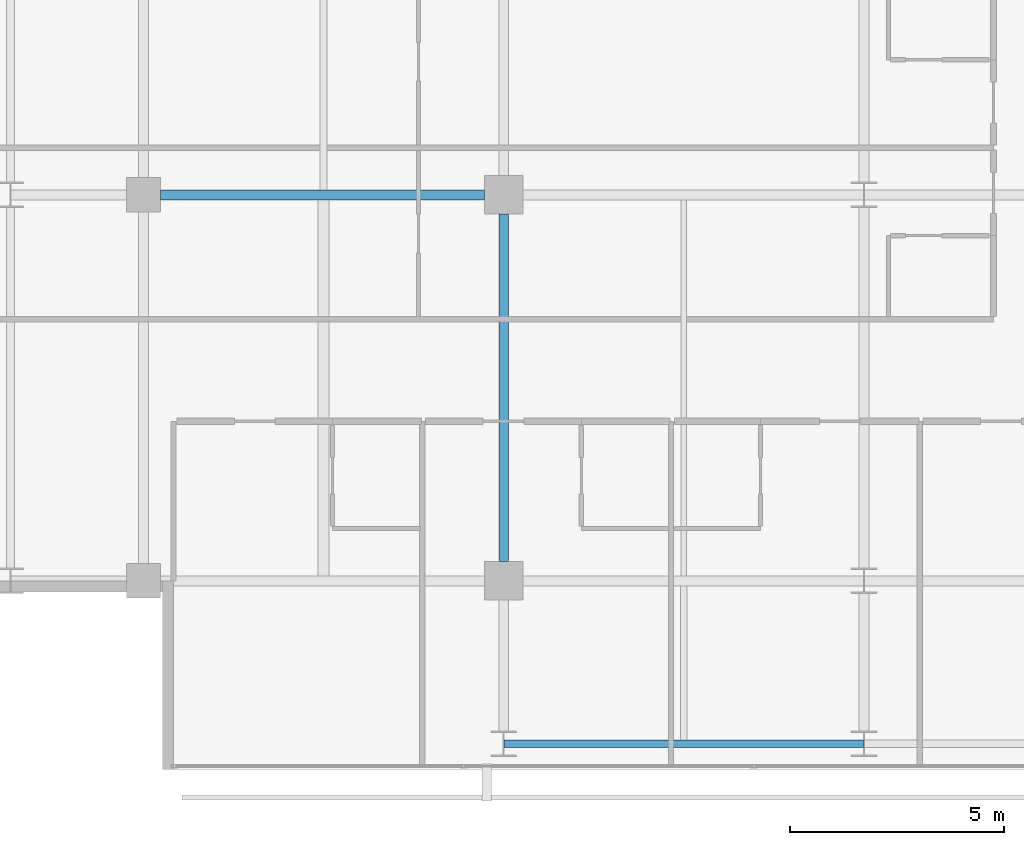
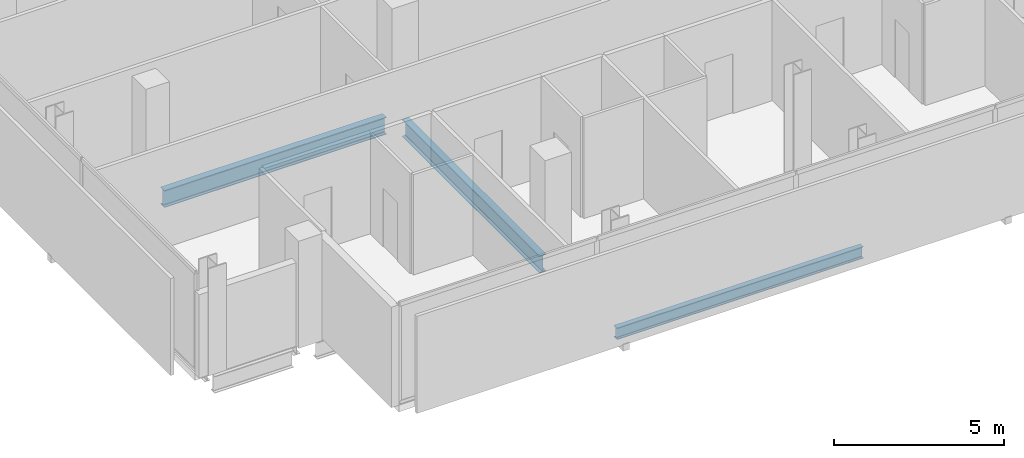
# One storey, part 5 of 34: 3 beams.
"""IFC4 building model written with IfcOpenShell, lengths in metres."""

from ifc_helpers import new_model, si_unit, direction, frame, origin, origin_2d, place, context, subcontext, project, spatial, i_section, extrude, material, material_profile, profile_set, type_object, element, save


model = new_model("IFC4")

# Units and contexts
model_context = context("Model", 3, precision=1e-05, world=origin(), true_north=direction((0.0, 1.0)))
body_context = subcontext(model_context, "Body", "Model", "MODEL_VIEW")
ifc_project = project(units=[si_unit("LENGTHUNIT", "METRE"), si_unit("AREAUNIT", "SQUARE_METRE"), si_unit("VOLUMEUNIT", "CUBIC_METRE"), si_unit("PLANEANGLEUNIT", "RADIAN"), si_unit("MASSUNIT", "GRAM", prefix="KILO")], contexts=[model_context])

# Site, building, storey
site_placement = place(None, origin())
site = spatial("IfcSite", under=ifc_project, at=site_placement, CompositionType="ELEMENT")
building_placement = place(site_placement, origin())
building = spatial("IfcBuilding", under=site, at=building_placement, Name="Maruvema Waterfront Hotel and Observation Tower", CompositionType="ELEMENT")
storey_placement = place(building_placement, frame((0.0, 0.0, 135.10009765625)))
storey = spatial("IfcBuildingStorey", under=building, at=storey_placement, Name="L32", CompositionType="ELEMENT", Elevation=135.10009765625)

# Beams
ifc_material_1 = material(Name="Steel ASTM A572 Grade 50", Category="steel")
ifc_material_profile_1 = material_profile(ifc_material_1, i_section(OverallWidth=0.180908203125, OverallDepth=0.4169921875, WebThickness=0.010986328125, FlangeThickness=0.018310546875, FilletRadius=0.014892578125, at=origin_2d()), Name="W410x85.0")
ifc_profile_set_1 = profile_set([ifc_material_profile_1], Name="Steel ASTM A572 Grade 50")
beam_type_1 = type_object("IfcBeamType", Name="Perimeter Spandrel Beam W410x85.0", PredefinedType="SPANDREL", material=ifc_profile_set_1)
beam_1_placement = place(storey_placement, frame((25.21240234375, 5.199951171875, -0.448486328125), z_axis=(1.0, 0.0, 0.0), x_axis=(0.0, 1.0, 0.0)))
element("IfcBeam", 1, at=beam_1_placement, inside=storey, type_object=beam_type_1, Name="L32 Floor Girder EW-01", PredefinedType="SPANDREL", context=body_context, shape_type="SweptSolid", body=[
    extrude(i_section(OverallWidth=0.180908203125, OverallDepth=0.4169921875, WebThickness=0.010986328125, FlangeThickness=0.018310546875, FilletRadius=0.014892578125, at=origin_2d()), origin(), (0.0, 0.0, 1.0), 8.375),
])
ifc_material_2 = material(Name="Steel ASTM A572 Grade 50", Category="steel")
ifc_material_profile_2 = material_profile(ifc_material_2, i_section(OverallWidth=0.22900390625, OverallDepth=0.612060546875, WebThickness=0.011962890625, FlangeThickness=0.01953125, FilletRadius=0.01806640625, at=origin_2d()), Name="W610x125.0")
ifc_profile_set_2 = profile_set([ifc_material_profile_2], Name="Steel ASTM A572 Grade 50")
beam_type_2 = type_object("IfcBeamType", Name="Primary Floor Girder W610x125.0", PredefinedType="BEAM", material=ifc_profile_set_2)
beam_2_placement = place(storey_placement, frame((17.199951171875, 18.0, -0.546142578125), z_axis=(1.0, 0.0, 0.0), x_axis=(0.0, 1.0, 0.0)))
element("IfcBeam", 2, at=beam_2_placement, inside=storey, type_object=beam_type_2, Name="L32 Floor Girder EW-12", PredefinedType="BEAM", context=body_context, shape_type="SweptSolid", body=[
    extrude(i_section(OverallWidth=0.22900390625, OverallDepth=0.612060546875, WebThickness=0.011962890625, FlangeThickness=0.01953125, FilletRadius=0.01806640625, at=origin_2d()), origin(), (0.0, 0.0, 1.0), 7.550048828125),
])
beam_3_placement = place(storey_placement, frame((25.199951171875, 9.449951171875, -0.546142578125), z_axis=(0.0, 1.0, 0.0), x_axis=(-1.0, 0.0, 0.0)))
element("IfcBeam", 3, at=beam_3_placement, inside=storey, type_object=beam_type_2, Name="L32 Floor Girder NS-10", PredefinedType="BEAM", context=body_context, shape_type="SweptSolid", body=[
    extrude(i_section(OverallWidth=0.22900390625, OverallDepth=0.612060546875, WebThickness=0.011962890625, FlangeThickness=0.01953125, FilletRadius=0.01806640625, at=origin_2d()), origin(), (0.0, 0.0, 1.0), 8.10009765625),
])

save(model, "model.ifc")
